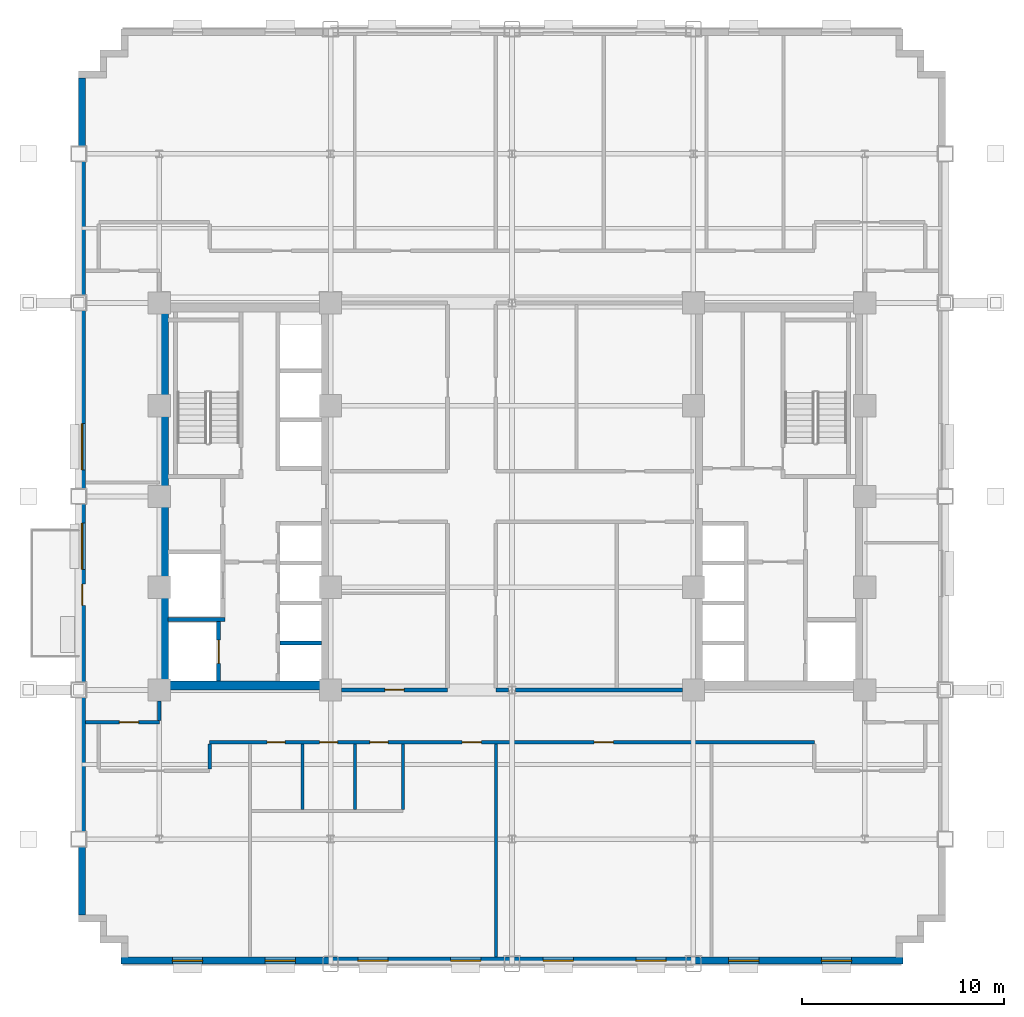
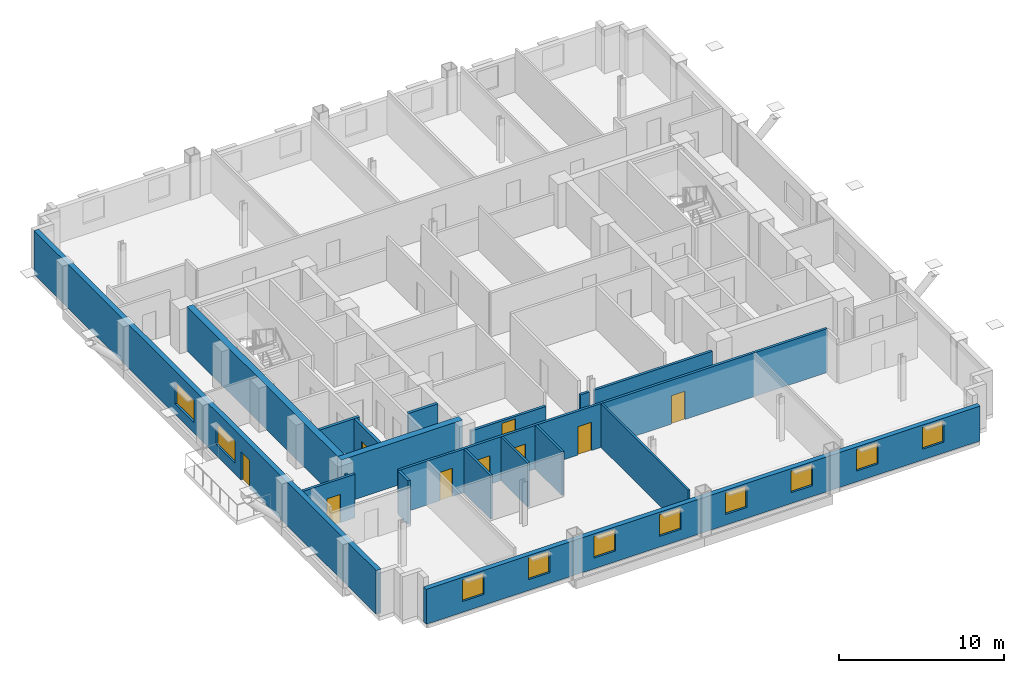
# One storey, part 6 of 13: 18 walls, 10 windows, 9 doors, 19 openings.
"""IFC4 building model written with IfcOpenShell, lengths in metres."""

from ifc_helpers import new_model, si_unit, direction, frame, frame_2d, origin, place, context, subcontext, project, spatial, rectangle, extrude, source, transform, mapped, material, layer, layer_set, type_object, type_shapes, element, fill, save


model = new_model("IFC4")

# Units and contexts
model_context = context("Model", 3, precision=1e-05, world=origin(), true_north=direction((0.0, 1.0)))
body_context = subcontext(model_context, "Body", "Model", "MODEL_VIEW")
ifc_project = project(units=[si_unit("LENGTHUNIT", "METRE"), si_unit("AREAUNIT", "SQUARE_METRE"), si_unit("VOLUMEUNIT", "CUBIC_METRE"), si_unit("PLANEANGLEUNIT", "RADIAN"), si_unit("MASSUNIT", "GRAM", prefix="KILO")], contexts=[model_context])

# Site, building, storey
site_placement = place(None, origin())
site = spatial("IfcSite", under=ifc_project, at=site_placement, CompositionType="ELEMENT")
building_placement = place(site_placement, origin())
building = spatial("IfcBuilding", under=site, at=building_placement, Name="Nuvemarco Arch Tower", CompositionType="ELEMENT")
storey_placement = place(building_placement, frame((0.0, 0.0, 82.35009765625)))
storey = spatial("IfcBuildingStorey", under=building, at=storey_placement, Name="L21", CompositionType="ELEMENT", Elevation=82.35009765625)

# Wall, openings, windows
ifc_material_1 = material(Name="Precast concrete C45/55", Category="concrete")
ifc_layer_1 = layer(ifc_material_1, 0.340087890625, Name="EW-LOW-340")
ifc_layer_set_1 = layer_set([ifc_layer_1], Name="Precast concrete C45/55")
wall_type_1 = type_object("IfcWallType", Name="EW-LOW-340", PredefinedType="STANDARD", material=ifc_layer_set_1)
wall_1_placement = place(storey_placement, frame((-19.39990234375, -23.030029296875, 0.0), z_axis=(0.0, 0.0, 1.0), x_axis=(1.0, 0.0, 0.0)))
wall_1 = element("IfcWall", 1, at=wall_1_placement, inside=storey, type_object=wall_type_1, Name="L21 exterior precast facade wall 1", PredefinedType="STANDARD", context=body_context, shape_type="SweptSolid", body=[
    extrude(rectangle(XDim=38.7998046875, YDim=0.340087890625, at=frame_2d((19.39990234375, 0.0))), origin(), (0.0, 0.0, 1.0), 2.5849609375),
])
opening_1_placement = place(wall_1_placement, frame((2.550048828125, 0.0, 0.800048828125)))
opening_1 = element("IfcOpeningElement", 2, at=opening_1_placement, cuts=wall_1, Name="Opening WN-11", PredefinedType="OPENING", context=body_context, shape_type="SweptSolid", body=[
    extrude(rectangle(XDim=1.5, YDim=1.60009765625, at=frame_2d((0.75, 0.800048828125))), frame((0.0, 0.179931640625, 0.0), z_axis=(0.0, -1.0, 0.0), x_axis=(1.0, 0.0, 0.0)), (0.0, 0.0, 1.0), 0.360107421875),
])
opening_2_placement = place(wall_1_placement, frame((7.14990234375, 0.0, 0.800048828125)))
opening_2 = element("IfcOpeningElement", 3, at=opening_2_placement, cuts=wall_1, Name="Opening WN-11", PredefinedType="OPENING", context=body_context, shape_type="SweptSolid", body=[
    extrude(rectangle(XDim=1.5, YDim=1.60009765625, at=frame_2d((0.75, 0.800048828125))), frame((0.0, 0.179931640625, 0.0), z_axis=(0.0, -1.0, 0.0), x_axis=(1.0, 0.0, 0.0)), (0.0, 0.0, 1.0), 0.360107421875),
])
opening_3_placement = place(wall_1_placement, frame((11.75, 0.0, 0.800048828125)))
opening_3 = element("IfcOpeningElement", 4, at=opening_3_placement, cuts=wall_1, Name="Opening WN-11", PredefinedType="OPENING", context=body_context, shape_type="SweptSolid", body=[
    extrude(rectangle(XDim=1.5, YDim=1.60009765625, at=frame_2d((0.75, 0.800048828125))), frame((0.0, 0.179931640625, 0.0), z_axis=(0.0, -1.0, 0.0), x_axis=(1.0, 0.0, 0.0)), (0.0, 0.0, 1.0), 0.360107421875),
])
opening_4_placement = place(wall_1_placement, frame((16.35009765625, 0.0, 0.800048828125)))
opening_4 = element("IfcOpeningElement", 5, at=opening_4_placement, cuts=wall_1, Name="Opening WN-11", PredefinedType="OPENING", context=body_context, shape_type="SweptSolid", body=[
    extrude(rectangle(XDim=1.5, YDim=1.60009765625, at=frame_2d((0.75, 0.800048828125))), frame((0.0, 0.179931640625, 0.0), z_axis=(0.0, -1.0, 0.0), x_axis=(1.0, 0.0, 0.0)), (0.0, 0.0, 1.0), 0.360107421875),
])
opening_5_placement = place(wall_1_placement, frame((20.949951171875, 0.0, 0.800048828125)))
opening_5 = element("IfcOpeningElement", 6, at=opening_5_placement, cuts=wall_1, Name="Opening WN-11", PredefinedType="OPENING", context=body_context, shape_type="SweptSolid", body=[
    extrude(rectangle(XDim=1.5, YDim=1.60009765625, at=frame_2d((0.75, 0.800048828125))), frame((0.0, 0.179931640625, 0.0), z_axis=(0.0, -1.0, 0.0), x_axis=(1.0, 0.0, 0.0)), (0.0, 0.0, 1.0), 0.360107421875),
])
opening_6_placement = place(wall_1_placement, frame((25.550048828125, 0.0, 0.800048828125)))
opening_6 = element("IfcOpeningElement", 7, at=opening_6_placement, cuts=wall_1, Name="Opening WN-11", PredefinedType="OPENING", context=body_context, shape_type="SweptSolid", body=[
    extrude(rectangle(XDim=1.5, YDim=1.60009765625, at=frame_2d((0.75, 0.800048828125))), frame((0.0, 0.179931640625, 0.0), z_axis=(0.0, -1.0, 0.0), x_axis=(1.0, 0.0, 0.0)), (0.0, 0.0, 1.0), 0.360107421875),
])
opening_7_placement = place(wall_1_placement, frame((30.14990234375, 0.0, 0.800048828125)))
opening_7 = element("IfcOpeningElement", 8, at=opening_7_placement, cuts=wall_1, Name="Opening WN-11", PredefinedType="OPENING", context=body_context, shape_type="SweptSolid", body=[
    extrude(rectangle(XDim=1.5, YDim=1.60009765625, at=frame_2d((0.75, 0.800048828125))), frame((0.0, 0.179931640625, 0.0), z_axis=(0.0, -1.0, 0.0), x_axis=(1.0, 0.0, 0.0)), (0.0, 0.0, 1.0), 0.360107421875),
])
opening_8_placement = place(wall_1_placement, frame((34.75, 0.0, 0.800048828125)))
opening_8 = element("IfcOpeningElement", 9, at=opening_8_placement, cuts=wall_1, Name="Opening WN-11", PredefinedType="OPENING", context=body_context, shape_type="SweptSolid", body=[
    extrude(rectangle(XDim=1.5, YDim=1.60009765625, at=frame_2d((0.75, 0.800048828125))), frame((0.0, 0.179931640625, 0.0), z_axis=(0.0, -1.0, 0.0), x_axis=(1.0, 0.0, 0.0)), (0.0, 0.0, 1.0), 0.360107421875),
])
ifc_material_2 = material(Name="Insulated solar-control glass", Category="glass")
window_type_1 = type_object("IfcWindowType", Name="WN-STEP-1500x1850", PartitioningType="SINGLE_PANEL", PredefinedType="WINDOW", material=ifc_material_2)
shared_shape_1 = source(origin(), body_context, "Body", "SweptSolid", [
    extrude(rectangle(XDim=1.5, YDim=1.60009765625, at=frame_2d((0.75, 0.800048828125))), frame((0.0, 0.030029296875, 0.0), z_axis=(0.0, -1.0, 0.0), x_axis=(1.0, 0.0, 0.0)), (0.0, 0.0, 1.0), 0.06005859375),
])
type_shapes(window_type_1, [shared_shape_1])
window_1_placement = place(opening_1_placement, origin())
window_1 = element("IfcWindow", 10, at=window_1_placement, inside=storey, type_object=window_type_1, Name="L21 punched facade window 1", OverallHeight=1.60009765625, OverallWidth=1.5, PartitioningType="SINGLE_PANEL", PredefinedType="WINDOW", context=body_context, shape_type="MappedRepresentation", body=[
    mapped(shared_shape_1, transform((0.0, 0.0, 0.0), scale=1.0)),
])
fill(opening_1, window_1)
window_2_placement = place(opening_2_placement, origin())
window_2 = element("IfcWindow", 11, at=window_2_placement, inside=storey, type_object=window_type_1, Name="L21 punched facade window 2", OverallHeight=1.60009765625, OverallWidth=1.5, PartitioningType="SINGLE_PANEL", PredefinedType="WINDOW", context=body_context, shape_type="MappedRepresentation", body=[
    mapped(shared_shape_1, transform((0.0, 0.0, 0.0), scale=1.0)),
])
fill(opening_2, window_2)
window_3_placement = place(opening_3_placement, origin())
window_3 = element("IfcWindow", 12, at=window_3_placement, inside=storey, type_object=window_type_1, Name="L21 punched facade window 3", OverallHeight=1.60009765625, OverallWidth=1.5, PartitioningType="SINGLE_PANEL", PredefinedType="WINDOW", context=body_context, shape_type="MappedRepresentation", body=[
    mapped(shared_shape_1, transform((0.0, 0.0, 0.0), scale=1.0)),
])
fill(opening_3, window_3)
window_4_placement = place(opening_4_placement, origin())
window_4 = element("IfcWindow", 13, at=window_4_placement, inside=storey, type_object=window_type_1, Name="L21 punched facade window 4", OverallHeight=1.60009765625, OverallWidth=1.5, PartitioningType="SINGLE_PANEL", PredefinedType="WINDOW", context=body_context, shape_type="MappedRepresentation", body=[
    mapped(shared_shape_1, transform((0.0, 0.0, 0.0), scale=1.0)),
])
fill(opening_4, window_4)
window_5_placement = place(opening_5_placement, origin())
window_5 = element("IfcWindow", 14, at=window_5_placement, inside=storey, type_object=window_type_1, Name="L21 punched facade window 5", OverallHeight=1.60009765625, OverallWidth=1.5, PartitioningType="SINGLE_PANEL", PredefinedType="WINDOW", context=body_context, shape_type="MappedRepresentation", body=[
    mapped(shared_shape_1, transform((0.0, 0.0, 0.0), scale=1.0)),
])
fill(opening_5, window_5)
window_6_placement = place(opening_6_placement, origin())
window_6 = element("IfcWindow", 15, at=window_6_placement, inside=storey, type_object=window_type_1, Name="L21 punched facade window 6", OverallHeight=1.60009765625, OverallWidth=1.5, PartitioningType="SINGLE_PANEL", PredefinedType="WINDOW", context=body_context, shape_type="MappedRepresentation", body=[
    mapped(shared_shape_1, transform((0.0, 0.0, 0.0), scale=1.0)),
])
fill(opening_6, window_6)
window_7_placement = place(opening_7_placement, origin())
window_7 = element("IfcWindow", 16, at=window_7_placement, inside=storey, type_object=window_type_1, Name="L21 punched facade window 7", OverallHeight=1.60009765625, OverallWidth=1.5, PartitioningType="SINGLE_PANEL", PredefinedType="WINDOW", context=body_context, shape_type="MappedRepresentation", body=[
    mapped(shared_shape_1, transform((0.0, 0.0, 0.0), scale=1.0)),
])
fill(opening_7, window_7)
window_8_placement = place(opening_8_placement, origin())
window_8 = element("IfcWindow", 17, at=window_8_placement, inside=storey, type_object=window_type_1, Name="L21 punched facade window 8", OverallHeight=1.60009765625, OverallWidth=1.5, PartitioningType="SINGLE_PANEL", PredefinedType="WINDOW", context=body_context, shape_type="MappedRepresentation", body=[
    mapped(shared_shape_1, transform((0.0, 0.0, 0.0), scale=1.0)),
])
fill(opening_8, window_8)

# Wall, openings, door, windows
wall_2_placement = place(storey_placement, frame((-21.330078125, -20.763916015625, 0.0), z_axis=(0.0, 0.0, 1.0), x_axis=(0.0, 1.0, 0.0)))
wall_2 = element("IfcWall", 18, at=wall_2_placement, inside=storey, type_object=wall_type_1, Name="L21 exterior precast facade wall 16", PredefinedType="STANDARD", context=body_context, shape_type="SweptSolid", body=[
    extrude(rectangle(XDim=41.52783203125, YDim=0.340087890625, at=frame_2d((20.763916015625, 0.0))), origin(), (0.0, 0.0, 1.0), 3.239990234375),
])
opening_9_placement = place(wall_2_placement, frame((15.364013671875, 0.0, 0.0)))
opening_9 = element("IfcOpeningElement", 19, at=opening_9_placement, cuts=wall_2, Name="Opening ED-5", PredefinedType="OPENING", context=body_context, shape_type="SweptSolid", body=[
    extrude(rectangle(XDim=1.050048828125, YDim=2.10009765625, at=frame_2d((0.52490234375, 1.050048828125))), frame((0.0, 0.179931640625, 0.0), z_axis=(0.0, -1.0, 0.0), x_axis=(1.0, 0.0, 0.0)), (0.0, 0.0, 1.0), 0.360107421875),
])
opening_10_placement = place(wall_2_placement, frame((17.1435546875, 0.0, 0.800048828125)))
opening_10 = element("IfcOpeningElement", 20, at=opening_10_placement, cuts=wall_2, Name="Opening WN-10", PredefinedType="OPENING", context=body_context, shape_type="SweptSolid", body=[
    extrude(rectangle(XDim=2.300048828125, YDim=1.6201171875, at=frame_2d((1.14990234375, 0.81005859375))), frame((0.0, 0.179931640625, 0.0), z_axis=(0.0, -1.0, 0.0), x_axis=(1.0, 0.0, 0.0)), (0.0, 0.0, 1.0), 0.360107421875),
])
opening_11_placement = place(wall_2_placement, frame((22.08447265625, 0.0, 0.800048828125)))
opening_11 = element("IfcOpeningElement", 21, at=opening_11_placement, cuts=wall_2, Name="Opening WN-10", PredefinedType="OPENING", context=body_context, shape_type="SweptSolid", body=[
    extrude(rectangle(XDim=2.300048828125, YDim=1.6201171875, at=frame_2d((1.14990234375, 0.81005859375))), frame((0.0, 0.179931640625, 0.0), z_axis=(0.0, -1.0, 0.0), x_axis=(1.0, 0.0, 0.0)), (0.0, 0.0, 1.0), 0.360107421875),
])
ifc_material_3 = material(Name="Anodised bronze and laminated glass", Category="glass")
door_type_1 = type_object("IfcDoorType", Name="DR-EXT-TERR", OperationType="NOTDEFINED", PredefinedType="DOOR", material=ifc_material_3)
shared_shape_2 = source(origin(), body_context, "Body", "SweptSolid", [
    extrude(rectangle(XDim=1.050048828125, YDim=2.10009765625, at=frame_2d((0.52490234375, 1.050048828125))), frame((0.0, 0.02490234375, 0.0), z_axis=(0.0, -1.0, 0.0), x_axis=(1.0, 0.0, 0.0)), (0.0, 0.0, 1.0), 0.050048828125),
])
type_shapes(door_type_1, [shared_shape_2])
door_1_placement = place(opening_9_placement, origin())
door_1 = element("IfcDoor", 22, at=door_1_placement, inside=storey, type_object=door_type_1, Name="L21 spiral terrace access door", OperationType="SINGLE_SWING_LEFT", OverallHeight=2.10009765625, OverallWidth=1.050048828125, PredefinedType="DOOR", context=body_context, shape_type="MappedRepresentation", body=[
    mapped(shared_shape_2, transform((0.0, 0.0, 0.0), scale=1.0)),
])
fill(opening_9, door_1)
window_type_2 = type_object("IfcWindowType", Name="WN-STEP-2300x1700", PartitioningType="DOUBLE_PANEL_VERTICAL", PredefinedType="WINDOW", material=ifc_material_2)
shared_shape_3 = source(origin(), body_context, "Body", "SweptSolid", [
    extrude(rectangle(XDim=2.300048828125, YDim=1.6201171875, at=frame_2d((1.14990234375, 0.81005859375))), frame((0.0, 0.030029296875, 0.0), z_axis=(0.0, -1.0, 0.0), x_axis=(1.0, 0.0, 0.0)), (0.0, 0.0, 1.0), 0.06005859375),
])
type_shapes(window_type_2, [shared_shape_3])
window_9_placement = place(opening_10_placement, origin())
window_9 = element("IfcWindow", 23, at=window_9_placement, inside=storey, type_object=window_type_2, Name="L21 punched facade window 4", OverallHeight=1.6201171875, OverallWidth=2.300048828125, PartitioningType="SINGLE_PANEL", PredefinedType="WINDOW", context=body_context, shape_type="MappedRepresentation", body=[
    mapped(shared_shape_3, transform((0.0, 0.0, 0.0), scale=1.0)),
])
fill(opening_10, window_9)
window_10_placement = place(opening_11_placement, origin())
window_10 = element("IfcWindow", 24, at=window_10_placement, inside=storey, type_object=window_type_2, Name="L21 punched facade window 5", OverallHeight=1.6201171875, OverallWidth=2.300048828125, PartitioningType="SINGLE_PANEL", PredefinedType="WINDOW", context=body_context, shape_type="MappedRepresentation", body=[
    mapped(shared_shape_3, transform((0.0, 0.0, 0.0), scale=1.0)),
])
fill(opening_11, window_10)

# Walls
ifc_material_4 = material(Name="Concrete C60/75", Category="concrete")
ifc_layer_2 = layer(ifc_material_4, 0.449951171875, Name="WL-CORE-450")
ifc_layer_set_2 = layer_set([ifc_layer_2], Name="Concrete C60/75")
wall_type_2 = type_object("IfcWallType", Name="WL-CORE-450", PredefinedType="SHEAR", material=ifc_layer_set_2)
wall_3_placement = place(storey_placement, frame((-17.5, -9.375, 0.0), z_axis=(0.0, 0.0, 1.0), x_axis=(1.0, 0.0, 0.0)))
element("IfcWall", 25, at=wall_3_placement, inside=storey, type_object=wall_type_2, Name="L21 W-core shear wall S", PredefinedType="SHEAR", context=body_context, shape_type="SweptSolid", body=[
    extrude(rectangle(XDim=8.5, YDim=0.449951171875, at=frame_2d((4.25, 0.0))), origin(), (0.0, 0.0, 1.0), 3.25),
])
wall_4_placement = place(storey_placement, frame((-17.27490234375, -9.155029296875, 0.0), z_axis=(0.0, 0.0, 1.0), x_axis=(0.0, 1.0, 0.0)))
element("IfcWall", 26, at=wall_4_placement, inside=storey, type_object=wall_type_2, Name="L21 W-core shear wall W", PredefinedType="SHEAR", context=body_context, shape_type="SweptSolid", body=[
    extrude(rectangle(XDim=18.31005859375, YDim=0.449951171875, at=frame_2d((9.155029296875, 0.0))), origin(), (0.0, 0.0, 1.0), 3.25),
])

# Wall, openings, doors
ifc_material_5 = material(Name="Fire-rated gypsum drywall partition")
ifc_layer_3 = layer(ifc_material_5, 0.179931640625, Name="WL-CORR-180")
ifc_layer_set_3 = layer_set([ifc_layer_3], Name="Fire-rated gypsum drywall partition")
wall_type_3 = type_object("IfcWallType", Name="WL-CORR-180", PredefinedType="PARTITIONING", material=ifc_layer_set_3)
wall_5_placement = place(storey_placement, frame((-15.0, -12.199951171875, 0.0), z_axis=(0.0, 0.0, 1.0), x_axis=(1.0, 0.0, 0.0)))
wall_5 = element("IfcWall", 27, at=wall_5_placement, inside=storey, type_object=wall_type_3, Name="L21 interior wall IW-L21-004", PredefinedType="PARTITIONING", context=body_context, shape_type="SweptSolid", body=[
    extrude(rectangle(XDim=30.0, YDim=0.179931640625, at=frame_2d((15.0, 0.0))), origin(), (0.0, 0.0, 1.0), 3.239990234375),
])
opening_12_placement = place(wall_5_placement, frame((19.070068359375, 0.0, 0.0)))
opening_12 = element("IfcOpeningElement", 28, at=opening_12_placement, cuts=wall_5, Name="Opening FD-5", PredefinedType="OPENING", context=body_context, shape_type="SweptSolid", body=[
    extrude(rectangle(XDim=0.9599609375, YDim=2.10009765625, at=frame_2d((0.47998046875, 1.050048828125))), frame((0.0, 0.099853515625, 0.0), z_axis=(0.0, -1.0, 0.0), x_axis=(1.0, 0.0, 0.0)), (0.0, 0.0, 1.0), 0.199951171875),
])
opening_13_placement = place(wall_5_placement, frame((5.449951171875, 0.0, 0.0)))
opening_13 = element("IfcOpeningElement", 29, at=opening_13_placement, cuts=wall_5, Name="Opening ID-3", PredefinedType="OPENING", context=body_context, shape_type="SweptSolid", body=[
    extrude(rectangle(XDim=0.89990234375, YDim=2.10009765625, at=frame_2d((0.449951171875, 1.050048828125))), frame((0.0, 0.099853515625, 0.0), z_axis=(0.0, -1.0, 0.0), x_axis=(1.0, 0.0, 0.0)), (0.0, 0.0, 1.0), 0.199951171875),
])
opening_14_placement = place(wall_5_placement, frame((2.85009765625, 0.0, 0.0)))
opening_14 = element("IfcOpeningElement", 30, at=opening_14_placement, cuts=wall_5, Name="Opening ID-3", PredefinedType="OPENING", context=body_context, shape_type="SweptSolid", body=[
    extrude(rectangle(XDim=0.89990234375, YDim=2.10009765625, at=frame_2d((0.449951171875, 1.050048828125))), frame((0.0, 0.099853515625, 0.0), z_axis=(0.0, -1.0, 0.0), x_axis=(1.0, 0.0, 0.0)), (0.0, 0.0, 1.0), 0.199951171875),
])
opening_15_placement = place(wall_5_placement, frame((12.52001953125, 0.0, 0.0)))
opening_15 = element("IfcOpeningElement", 31, at=opening_15_placement, cuts=wall_5, Name="Opening FD-5", PredefinedType="OPENING", context=body_context, shape_type="SweptSolid", body=[
    extrude(rectangle(XDim=0.9599609375, YDim=2.10009765625, at=frame_2d((0.47998046875, 1.050048828125))), frame((0.0, 0.099853515625, 0.0), z_axis=(0.0, -1.0, 0.0), x_axis=(1.0, 0.0, 0.0)), (0.0, 0.0, 1.0), 0.199951171875),
])
opening_16_placement = place(wall_5_placement, frame((7.949951171875, 0.0, 0.0)))
opening_16 = element("IfcOpeningElement", 32, at=opening_16_placement, cuts=wall_5, Name="Opening ID-3", PredefinedType="OPENING", context=body_context, shape_type="SweptSolid", body=[
    extrude(rectangle(XDim=0.89990234375, YDim=2.10009765625, at=frame_2d((0.449951171875, 1.050048828125))), frame((0.0, 0.099853515625, 0.0), z_axis=(0.0, -1.0, 0.0), x_axis=(1.0, 0.0, 0.0)), (0.0, 0.0, 1.0), 0.199951171875),
])
ifc_material_6 = material(Name="Timber fire door", Category="wood")
door_type_2 = type_object("IfcDoorType", Name="DR-CORR-FD", OperationType="NOTDEFINED", PredefinedType="DOOR", material=ifc_material_6)
shared_shape_4 = source(origin(), body_context, "Body", "SweptSolid", [
    extrude(rectangle(XDim=0.9599609375, YDim=2.10009765625, at=frame_2d((0.47998046875, 1.050048828125))), frame((0.0, 0.02490234375, 0.0), z_axis=(0.0, -1.0, 0.0), x_axis=(1.0, 0.0, 0.0)), (0.0, 0.0, 1.0), 0.050048828125),
])
type_shapes(door_type_2, [shared_shape_4])
door_2_placement = place(opening_12_placement, origin())
door_2 = element("IfcDoor", 33, at=door_2_placement, inside=storey, type_object=door_type_2, Name="L21 door DR-L21-S_3", OperationType="SINGLE_SWING_LEFT", OverallHeight=2.10009765625, OverallWidth=0.9599609375, PredefinedType="DOOR", context=body_context, shape_type="MappedRepresentation", body=[
    mapped(shared_shape_4, transform((0.0, 0.0, 0.0), scale=1.0)),
])
fill(opening_12, door_2)
door_3_placement = place(opening_15_placement, origin())
door_3 = element("IfcDoor", 34, at=door_3_placement, inside=storey, type_object=door_type_2, Name="L21 door DR-L21-S_2", OperationType="SINGLE_SWING_LEFT", OverallHeight=2.10009765625, OverallWidth=0.9599609375, PredefinedType="DOOR", context=body_context, shape_type="MappedRepresentation", body=[
    mapped(shared_shape_4, transform((0.0, 0.0, 0.0), scale=1.0)),
])
fill(opening_15, door_3)
ifc_material_7 = material(Name="Veneered oak timber fire door", Category="wood")
door_type_3 = type_object("IfcDoorType", Name="DR-WC-ACC", OperationType="NOTDEFINED", PredefinedType="DOOR", material=ifc_material_7)
shared_shape_5 = source(origin(), body_context, "Body", "SweptSolid", [
    extrude(rectangle(XDim=0.89990234375, YDim=2.10009765625, at=frame_2d((0.449951171875, 1.050048828125))), frame((0.0, 0.02490234375, 0.0), z_axis=(0.0, -1.0, 0.0), x_axis=(1.0, 0.0, 0.0)), (0.0, 0.0, 1.0), 0.050048828125),
])
type_shapes(door_type_3, [shared_shape_5])
door_4_placement = place(opening_13_placement, origin())
door_4 = element("IfcDoor", 35, at=door_4_placement, inside=storey, type_object=door_type_3, Name="L21 door DR-L21-WC_F", OperationType="SINGLE_SWING_LEFT", OverallHeight=2.10009765625, OverallWidth=0.89990234375, PredefinedType="DOOR", context=body_context, shape_type="MappedRepresentation", body=[
    mapped(shared_shape_5, transform((0.0, 0.0, 0.0), scale=1.0)),
])
fill(opening_13, door_4)
door_5_placement = place(opening_14_placement, origin())
door_5 = element("IfcDoor", 36, at=door_5_placement, inside=storey, type_object=door_type_3, Name="L21 door DR-L21-WC_M", OperationType="SINGLE_SWING_RIGHT", OverallHeight=2.10009765625, OverallWidth=0.89990234375, PredefinedType="DOOR", context=body_context, shape_type="MappedRepresentation", body=[
    mapped(shared_shape_5, transform((0.0, 0.0, 0.0), scale=1.0)),
])
fill(opening_14, door_5)
door_6_placement = place(opening_16_placement, origin())
door_6 = element("IfcDoor", 37, at=door_6_placement, inside=storey, type_object=door_type_3, Name="L21 door DR-L21-WC_ACC", OperationType="SINGLE_SWING_RIGHT", OverallHeight=2.10009765625, OverallWidth=0.89990234375, PredefinedType="DOOR", context=body_context, shape_type="MappedRepresentation", body=[
    mapped(shared_shape_5, transform((0.0, 0.0, 0.0), scale=1.0)),
])
fill(opening_16, door_6)

# Wall, opening, door
wall_6_placement = place(storey_placement, frame((-21.159912109375, -11.199951171875, 0.0), z_axis=(0.0, 0.0, 1.0), x_axis=(1.0, 0.0, 0.0)))
wall_6 = element("IfcWall", 38, at=wall_6_placement, inside=storey, type_object=wall_type_3, Name="L21 interior wall IW-L21-005", PredefinedType="PARTITIONING", context=body_context, shape_type="SweptSolid", body=[
    extrude(rectangle(XDim=3.659912109375, YDim=0.179931640625, at=frame_2d((1.830078125, 0.0))), origin(), (0.0, 0.0, 1.0), 3.239990234375),
])
opening_17_placement = place(wall_6_placement, frame((1.679931640625, 0.0, 0.0)))
opening_17 = element("IfcOpeningElement", 39, at=opening_17_placement, cuts=wall_6, Name="Opening FD-5", PredefinedType="OPENING", context=body_context, shape_type="SweptSolid", body=[
    extrude(rectangle(XDim=0.9599609375, YDim=2.10009765625, at=frame_2d((0.47998046875, 1.050048828125))), frame((0.0, 0.099853515625, 0.0), z_axis=(0.0, -1.0, 0.0), x_axis=(1.0, 0.0, 0.0)), (0.0, 0.0, 1.0), 0.199951171875),
])
door_7_placement = place(opening_17_placement, origin())
door_7 = element("IfcDoor", 40, at=door_7_placement, inside=storey, type_object=door_type_2, Name="L21 door DR-L21-W_1", OperationType="SINGLE_SWING_LEFT", OverallHeight=2.10009765625, OverallWidth=0.9599609375, PredefinedType="DOOR", context=body_context, shape_type="MappedRepresentation", body=[
    mapped(shared_shape_4, transform((0.0, 0.0, 0.0), scale=1.0)),
])
fill(opening_17, door_7)

wall_7_placement = place(storey_placement, frame((-8.4541015625, -9.60009765625, 0.0), z_axis=(0.0, 0.0, 1.0), x_axis=(1.0, 0.0, 0.0)))
wall_7 = element("IfcWall", 41, at=wall_7_placement, inside=storey, type_object=wall_type_3, Name="L21 interior wall IW-L21-007", PredefinedType="PARTITIONING", context=body_context, shape_type="SweptSolid", body=[
    extrude(rectangle(XDim=5.254150390625, YDim=0.179931640625, at=frame_2d((2.626953125, 0.0))), origin(), (0.0, 0.0, 1.0), 2.284912109375),
])
opening_18_placement = place(wall_7_placement, frame((2.14697265625, 0.0, 0.0)))
opening_18 = element("IfcOpeningElement", 42, at=opening_18_placement, cuts=wall_7, Name="Opening FD-5", PredefinedType="OPENING", context=body_context, shape_type="SweptSolid", body=[
    extrude(rectangle(XDim=0.9599609375, YDim=2.10009765625, at=frame_2d((0.47998046875, 1.050048828125))), frame((0.0, 0.099853515625, 0.0), z_axis=(0.0, -1.0, 0.0), x_axis=(1.0, 0.0, 0.0)), (0.0, 0.0, 1.0), 0.199951171875),
])
door_8_placement = place(opening_18_placement, origin())
door_8 = element("IfcDoor", 43, at=door_8_placement, inside=storey, type_object=door_type_2, Name="L21 door DR-L21-C_SW2", OperationType="SINGLE_SWING_RIGHT", OverallHeight=2.10009765625, OverallWidth=0.9599609375, PredefinedType="DOOR", context=body_context, shape_type="MappedRepresentation", body=[
    mapped(shared_shape_4, transform((0.0, 0.0, 0.0), scale=1.0)),
])
fill(opening_18, door_8)

# Walls
wall_8_placement = place(storey_placement, frame((-0.800048828125, -9.60009765625, 0.0), z_axis=(0.0, 0.0, 1.0), x_axis=(1.0, 0.0, 0.0)))
element("IfcWall", 44, at=wall_8_placement, inside=storey, type_object=wall_type_3, Name="L21 interior wall IW-L21-008", PredefinedType="PARTITIONING", context=body_context, shape_type="SweptSolid", body=[
    extrude(rectangle(XDim=0.6240234375, YDim=0.179931640625, at=frame_2d((0.31201171875, 0.0))), origin(), (0.0, 0.0, 1.0), 2.284912109375),
])
wall_9_placement = place(storey_placement, frame((0.176025390625, -9.60009765625, 0.0), z_axis=(0.0, 0.0, 1.0), x_axis=(1.0, 0.0, 0.0)))
element("IfcWall", 45, at=wall_9_placement, inside=storey, type_object=wall_type_3, Name="L21 interior wall IW-L21-009", PredefinedType="PARTITIONING", context=body_context, shape_type="SweptSolid", body=[
    extrude(rectangle(XDim=8.278076171875, YDim=0.179931640625, at=frame_2d((4.13916015625, 0.0))), origin(), (0.0, 0.0, 1.0), 2.284912109375),
])
wall_10_placement = place(storey_placement, frame((-17.5, -11.114013671875, 0.0), z_axis=(0.0, 0.0, 1.0), x_axis=(0.0, 1.0, 0.0)))
element("IfcWall", 46, at=wall_10_placement, inside=storey, type_object=wall_type_3, Name="L21 interior wall IW-L21-027", PredefinedType="PARTITIONING", context=body_context, shape_type="SweptSolid", body=[
    extrude(rectangle(XDim=0.968017578125, YDim=0.179931640625, at=frame_2d((0.48388671875, 0.0))), origin(), (0.0, 0.0, 1.0), 2.617919921875),
])
wall_11_placement = place(storey_placement, frame((-15.0, -13.513916015625, 0.0), z_axis=(0.0, 0.0, 1.0), x_axis=(0.0, 1.0, 0.0)))
element("IfcWall", 47, at=wall_11_placement, inside=storey, type_object=wall_type_3, Name="L21 interior wall IW-L21-029", PredefinedType="PARTITIONING", context=body_context, shape_type="SweptSolid", body=[
    extrude(rectangle(XDim=1.22802734375, YDim=0.179931640625, at=frame_2d((0.614013671875, 0.0))), origin(), (0.0, 0.0, 1.0), 3.239990234375),
])
ifc_material_8 = material(Name="Gypsum plasterboard partition")
ifc_layer_4 = layer(ifc_material_8, 0.139892578125, Name="WL-ROOM-140")
ifc_layer_set_4 = layer_set([ifc_layer_4], Name="Gypsum plasterboard partition")
wall_type_4 = type_object("IfcWallType", Name="WL-ROOM-140", PredefinedType="PARTITIONING", material=ifc_layer_set_4)
wall_12_placement = place(storey_placement, frame((-0.800048828125, -22.860107421875, 0.0), z_axis=(0.0, 0.0, 1.0), x_axis=(0.0, 1.0, 0.0)))
element("IfcWall", 48, at=wall_12_placement, inside=storey, type_object=wall_type_4, Name="L21 interior wall IW-L21-038", PredefinedType="PARTITIONING", context=body_context, shape_type="SweptSolid", body=[
    extrude(rectangle(XDim=10.57421875, YDim=0.139892578125, at=frame_2d((5.287109375, 0.0))), origin(), (0.0, 0.0, 1.0), 3.239990234375),
])

# Wall, opening, door
ifc_material_9 = material(Name="Concrete C50/60", Category="concrete")
ifc_layer_5 = layer(ifc_material_9, 0.199951171875, Name="WL-SHAFT-220")
ifc_layer_set_5 = layer_set([ifc_layer_5], Name="Concrete C50/60")
wall_type_5 = type_object("IfcWallType", Name="WL-SHAFT-220", PredefinedType="SHEAR", material=ifc_layer_set_5)
wall_13_placement = place(storey_placement, frame((-14.550048828125, -9.155029296875, 0.0), z_axis=(0.0, 0.0, 1.0), x_axis=(0.0, 1.0, 0.0)))
wall_13 = element("IfcWall", 49, at=wall_13_placement, inside=storey, type_object=wall_type_5, Name="L21 structural shaft wall SW-L21-W-SHE", PredefinedType="SHEAR", context=body_context, shape_type="SweptSolid", body=[
    extrude(rectangle(XDim=2.9599609375, YDim=0.199951171875, at=frame_2d((1.47998046875, 0.0))), origin(), (0.0, 0.0, 1.0), 3.25),
])
opening_19_placement = place(wall_13_placement, frame((0.8798828125, 0.0, 0.0)))
opening_19 = element("IfcOpeningElement", 50, at=opening_19_placement, cuts=wall_13, Name="Opening LD-2", PredefinedType="OPENING", context=body_context, shape_type="SweptSolid", body=[
    extrude(rectangle(XDim=1.14990234375, YDim=2.14990234375, at=frame_2d((0.574951171875, 1.074951171875))), frame((0.0, 0.10986328125, 0.0), z_axis=(0.0, -1.0, 0.0), x_axis=(1.0, 0.0, 0.0)), (0.0, 0.0, 1.0), 0.219970703125),
])
ifc_material_10 = material(Name="Stainless steel lift door", Category="steel")
door_type_4 = type_object("IfcDoorType", Name="DR-LIFT-FIRE", OperationType="DOUBLE_DOOR_SLIDING", PredefinedType="DOOR", material=ifc_material_10)
shared_shape_6 = source(origin(), body_context, "Body", "SweptSolid", [
    extrude(rectangle(XDim=1.14990234375, YDim=2.14990234375, at=frame_2d((0.574951171875, 1.074951171875))), frame((0.0, 0.02490234375, 0.0), z_axis=(0.0, -1.0, 0.0), x_axis=(1.0, 0.0, 0.0)), (0.0, 0.0, 1.0), 0.050048828125),
])
type_shapes(door_type_4, [shared_shape_6])
door_9_placement = place(opening_19_placement, origin())
door_9 = element("IfcDoor", 51, at=door_9_placement, inside=storey, type_object=door_type_4, Name="L21 Lift landing sliding door FFL-1", OperationType="DOUBLE_DOOR_SLIDING", OverallHeight=2.14990234375, OverallWidth=1.14990234375, PredefinedType="DOOR", context=body_context, shape_type="MappedRepresentation", body=[
    mapped(shared_shape_6, transform((0.0, 0.0, 0.0), scale=1.0)),
])
fill(opening_19, door_9)

# Walls
wall_14_placement = place(storey_placement, frame((-17.054931640625, -6.10009765625, 0.0), z_axis=(0.0, 0.0, 1.0), x_axis=(1.0, 0.0, 0.0)))
element("IfcWall", 52, at=wall_14_placement, inside=storey, type_object=wall_type_5, Name="L21 structural shaft wall SW-L21-W-SH1", PredefinedType="SHEAR", context=body_context, shape_type="SweptSolid", body=[
    extrude(rectangle(XDim=2.804931640625, YDim=0.199951171875, at=frame_2d((1.40234375, 0.0))), origin(), (0.0, 0.0, 1.0), 3.25),
])
wall_15_placement = place(storey_placement, frame((-11.5048828125, -7.27001953125, 0.0), z_axis=(0.0, 0.0, 1.0), x_axis=(1.0, 0.0, 0.0)))
element("IfcWall", 53, at=wall_15_placement, inside=storey, type_object=wall_type_5, Name="L21 structural shaft wall SW-L21-W-PLD1", PredefinedType="SHEAR", context=body_context, shape_type="SweptSolid", body=[
    extrude(rectangle(XDim=2.059814453125, YDim=0.199951171875, at=frame_2d((1.02978515625, 0.0))), origin(), (0.0, 0.0, 1.0), 3.25),
])
ifc_material_11 = material(Name="Moisture-resistant gypsum partition")
ifc_layer_6 = layer(ifc_material_11, 0.14990234375, Name="WL-WET-150")
ifc_layer_set_6 = layer_set([ifc_layer_6], Name="Moisture-resistant gypsum partition")
wall_type_6 = type_object("IfcWallType", Name="WL-WET-150", PredefinedType="PARTITIONING", material=ifc_layer_set_6)
for number, where, z_axis, x_axis, name in (
    (54, (-10.39990234375, -15.529052734375, 0.0), (0.0, 0.0, 1.0), (0.0, 1.0, 0.0), "L21 interior wall IW-L21-032"),
    (55, (-7.800048828125, -15.529052734375, 0.0), (0.0, 0.0, 1.0), (0.0, 1.0, 0.0), "L21 interior wall IW-L21-033"),
    (56, (-5.39990234375, -15.529052734375, 0.0), (0.0, 0.0, 1.0), (0.0, 1.0, 0.0), "L21 interior wall IW-L21-035"),
):
    element("IfcWall", number, at=place(storey_placement, frame(where, z_axis=z_axis, x_axis=x_axis)), inside=storey, type_object=wall_type_6, Name=name, PredefinedType="PARTITIONING", context=body_context, shape_type="SweptSolid", body=[
        extrude(rectangle(XDim=3.2431640625, YDim=0.14990234375, at=frame_2d((1.62158203125, 0.0))), origin(), (0.0, 0.0, 1.0), 3.239990234375),
    ])

save(model, "model.ifc")
